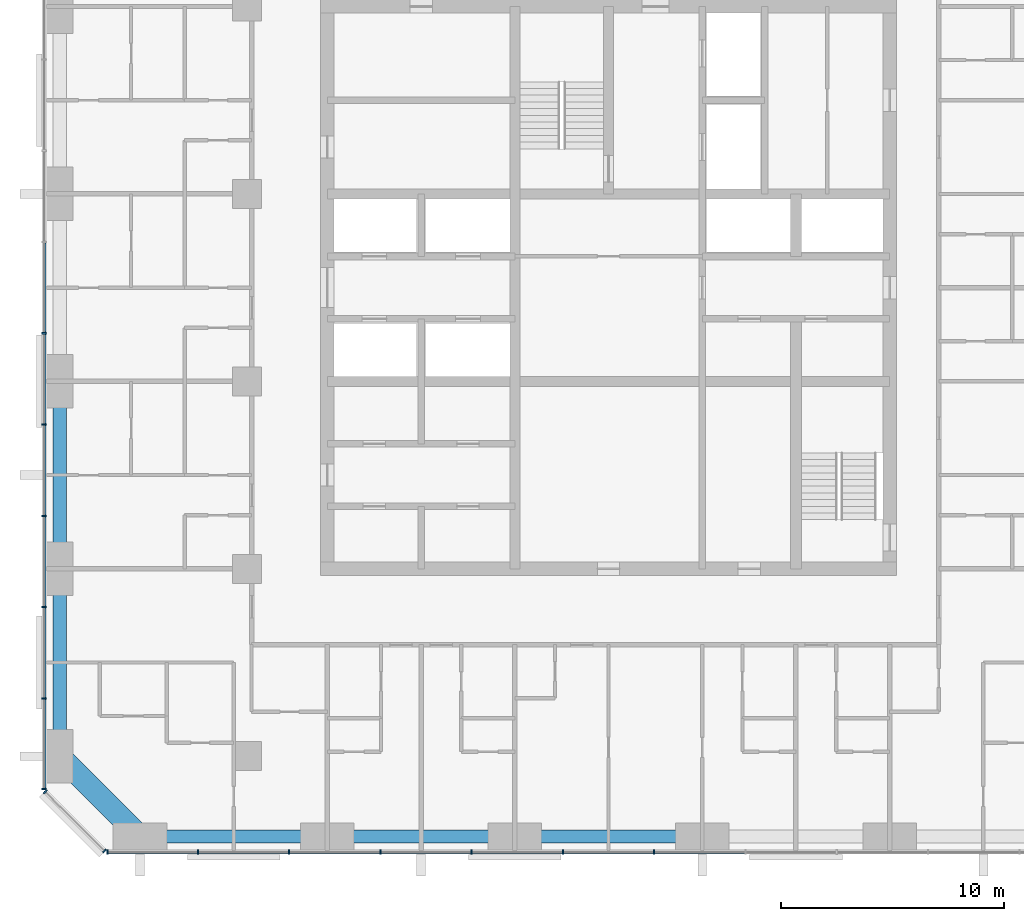
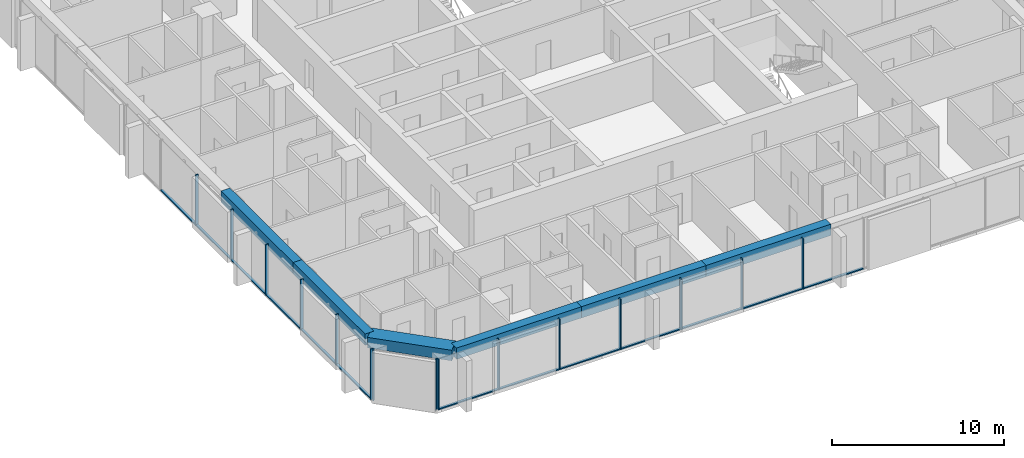
# One storey, part 2 of 14: 28 members, 6 beams, 3 elements without a shape of their own.
"""IFC4 building model written with IfcOpenShell, lengths in metres."""

from ifc_helpers import new_model, si_unit, direction, frame, origin, origin_2d, place, context, subcontext, project, spatial, rectangle, extrude, material, material_profile, profile_set, type_object, element, aggregate, save


model = new_model("IFC4")

# Units and contexts
model_context = context("Model", 3, precision=1e-05, world=origin(), true_north=direction((0.0, 1.0)))
body_context = subcontext(model_context, "Body", "Model", "MODEL_VIEW")
ifc_project = project(units=[si_unit("LENGTHUNIT", "METRE"), si_unit("AREAUNIT", "SQUARE_METRE"), si_unit("VOLUMEUNIT", "CUBIC_METRE"), si_unit("PLANEANGLEUNIT", "RADIAN"), si_unit("MASSUNIT", "GRAM", prefix="KILO")], contexts=[model_context])

# Site, building, storey
site_placement = place(None, origin())
site = spatial("IfcSite", under=ifc_project, at=site_placement, CompositionType="ELEMENT")
building_placement = place(site_placement, origin())
building = spatial("IfcBuilding", under=site, at=building_placement, Name="Dunama Terrace Hotel", CompositionType="ELEMENT")
storey_placement = place(building_placement, frame((0.0, 0.0, 198.60009765625)))
storey = spatial("IfcBuildingStorey", under=building, at=storey_placement, Name="L51", CompositionType="ELEMENT", Elevation=198.60009765625)

# Curtain wall, members
ifc_material_1 = material(Name="Aluminium curtain wall system", Category="aluminium")
curtain_wall_type = type_object("IfcCurtainWallType", Name="Unitised fritted glass wall CW-C", PredefinedType="NOTDEFINED", material=ifc_material_1)
curtain_wall_1_placement = place(storey_placement, origin())
curtain_wall_1 = element("IfcCurtainWall", 1, at=curtain_wall_1_placement, inside=storey, type_object=curtain_wall_type, Name="Unitised fritted glass wall CW-C L51", PredefinedType="NOTDEFINED")
ifc_material_2 = material(Name="Aluminium mullion", Category="aluminium")
ifc_material_profile_1 = material_profile(ifc_material_2, rectangle(XDim=0.070068359375, YDim=0.199951171875, at=origin_2d()), Name="CWC MULLION 70X200")
ifc_profile_set_1 = profile_set([ifc_material_profile_1], Name="Aluminium mullion")
member_type_1 = type_object("IfcMemberType", Name="CWC mullion 70x200", PredefinedType="MULLION", material=ifc_profile_set_1)
member_1_placement = place(storey_placement, frame((6.93505859375, 4.10009765625, 0.0), z_axis=(0.0, 0.0, 1.0), x_axis=(1.0, 0.0, 0.0)))
member_1 = element("IfcMember", 2, at=member_1_placement, type_object=member_type_1, Name="CWC mullion", PredefinedType="MULLION", context=body_context, shape_type="SweptSolid", body=[
    extrude(rectangle(XDim=0.070068359375, YDim=0.199951171875, at=origin_2d()), origin(), (0.0, 0.0, 1.0), 3.599853515625),
])
member_2_placement = place(storey_placement, frame((10.990966796875, 4.10009765625, 0.0), z_axis=(0.0, 0.0, 1.0), x_axis=(1.0, 0.0, 0.0)))
member_2 = element("IfcMember", 3, at=member_2_placement, type_object=member_type_1, Name="CWC mullion", PredefinedType="MULLION", context=body_context, shape_type="SweptSolid", body=[
    extrude(rectangle(XDim=0.070068359375, YDim=0.199951171875, at=origin_2d()), origin(), (0.0, 0.0, 1.0), 3.599853515625),
])
member_3_placement = place(storey_placement, frame((15.08203125, 4.10009765625, 0.0), z_axis=(0.0, 0.0, 1.0), x_axis=(1.0, 0.0, 0.0)))
member_3 = element("IfcMember", 4, at=member_3_placement, type_object=member_type_1, Name="CWC mullion", PredefinedType="MULLION", context=body_context, shape_type="SweptSolid", body=[
    extrude(rectangle(XDim=0.070068359375, YDim=0.199951171875, at=origin_2d()), origin(), (0.0, 0.0, 1.0), 3.599853515625),
])
member_4_placement = place(storey_placement, frame((19.173095703125, 4.10009765625, 0.0), z_axis=(0.0, 0.0, 1.0), x_axis=(1.0, 0.0, 0.0)))
member_4 = element("IfcMember", 5, at=member_4_placement, type_object=member_type_1, Name="CWC mullion", PredefinedType="MULLION", context=body_context, shape_type="SweptSolid", body=[
    extrude(rectangle(XDim=0.070068359375, YDim=0.199951171875, at=origin_2d()), origin(), (0.0, 0.0, 1.0), 3.599853515625),
])
member_5_placement = place(storey_placement, frame((23.263916015625, 4.10009765625, 0.0), z_axis=(0.0, 0.0, 1.0), x_axis=(1.0, 0.0, 0.0)))
member_5 = element("IfcMember", 6, at=member_5_placement, type_object=member_type_1, Name="CWC mullion", PredefinedType="MULLION", context=body_context, shape_type="SweptSolid", body=[
    extrude(rectangle(XDim=0.070068359375, YDim=0.199951171875, at=origin_2d()), origin(), (0.0, 0.0, 1.0), 3.599853515625),
])
member_6_placement = place(storey_placement, frame((27.35498046875, 4.10009765625, 0.0), z_axis=(0.0, 0.0, 1.0), x_axis=(1.0, 0.0, 0.0)))
member_6 = element("IfcMember", 7, at=member_6_placement, type_object=member_type_1, Name="CWC mullion", PredefinedType="MULLION", context=body_context, shape_type="SweptSolid", body=[
    extrude(rectangle(XDim=0.070068359375, YDim=0.199951171875, at=origin_2d()), origin(), (0.0, 0.0, 1.0), 3.599853515625),
])
member_7_placement = place(storey_placement, frame((31.445068359375, 4.10009765625, 0.0), z_axis=(0.0, 0.0, 1.0), x_axis=(1.0, 0.0, 0.0)))
member_7 = element("IfcMember", 8, at=member_7_placement, type_object=member_type_1, Name="CWC mullion", PredefinedType="MULLION", context=body_context, shape_type="SweptSolid", body=[
    extrude(rectangle(XDim=0.070068359375, YDim=0.199951171875, at=origin_2d()), origin(), (0.0, 0.0, 1.0), 3.599853515625),
])

curtain_wall_2_placement = place(storey_placement, origin())
curtain_wall_2 = element("IfcCurtainWall", 9, at=curtain_wall_2_placement, inside=storey, type_object=curtain_wall_type, Name="Unitised fritted glass wall CW-C L51", PredefinedType="NOTDEFINED")
member_8_placement = place(storey_placement, frame((4.10009765625, 27.35498046875, 0.0), z_axis=(0.0, 0.0, 1.0), x_axis=(0.0, -1.0, 0.0)))
member_8 = element("IfcMember", 10, at=member_8_placement, type_object=member_type_1, Name="CWC mullion", PredefinedType="MULLION", context=body_context, shape_type="SweptSolid", body=[
    extrude(rectangle(XDim=0.070068359375, YDim=0.199951171875, at=origin_2d()), origin(), (0.0, 0.0, 1.0), 3.599853515625),
])
member_9_placement = place(storey_placement, frame((4.10009765625, 23.263916015625, 0.0), z_axis=(0.0, 0.0, 1.0), x_axis=(0.0, -1.0, 0.0)))
member_9 = element("IfcMember", 11, at=member_9_placement, type_object=member_type_1, Name="CWC mullion", PredefinedType="MULLION", context=body_context, shape_type="SweptSolid", body=[
    extrude(rectangle(XDim=0.070068359375, YDim=0.199951171875, at=origin_2d()), origin(), (0.0, 0.0, 1.0), 3.599853515625),
])
member_10_placement = place(storey_placement, frame((4.10009765625, 19.173095703125, 0.0), z_axis=(0.0, 0.0, 1.0), x_axis=(0.0, -1.0, 0.0)))
member_10 = element("IfcMember", 12, at=member_10_placement, type_object=member_type_1, Name="CWC mullion", PredefinedType="MULLION", context=body_context, shape_type="SweptSolid", body=[
    extrude(rectangle(XDim=0.070068359375, YDim=0.199951171875, at=origin_2d()), origin(), (0.0, 0.0, 1.0), 3.599853515625),
])
member_11_placement = place(storey_placement, frame((4.10009765625, 15.08203125, 0.0), z_axis=(0.0, 0.0, 1.0), x_axis=(0.0, -1.0, 0.0)))
member_11 = element("IfcMember", 13, at=member_11_placement, type_object=member_type_1, Name="CWC mullion", PredefinedType="MULLION", context=body_context, shape_type="SweptSolid", body=[
    extrude(rectangle(XDim=0.070068359375, YDim=0.199951171875, at=origin_2d()), origin(), (0.0, 0.0, 1.0), 3.599853515625),
])
member_12_placement = place(storey_placement, frame((4.10009765625, 10.990966796875, 0.0), z_axis=(0.0, 0.0, 1.0), x_axis=(0.0, -1.0, 0.0)))
member_12 = element("IfcMember", 14, at=member_12_placement, type_object=member_type_1, Name="CWC mullion", PredefinedType="MULLION", context=body_context, shape_type="SweptSolid", body=[
    extrude(rectangle(XDim=0.070068359375, YDim=0.199951171875, at=origin_2d()), origin(), (0.0, 0.0, 1.0), 3.599853515625),
])
member_13_placement = place(storey_placement, frame((4.10009765625, 6.93505859375, 0.0), z_axis=(0.0, 0.0, 1.0), x_axis=(0.0, -1.0, 0.0)))
member_13 = element("IfcMember", 15, at=member_13_placement, type_object=member_type_1, Name="CWC mullion", PredefinedType="MULLION", context=body_context, shape_type="SweptSolid", body=[
    extrude(rectangle(XDim=0.070068359375, YDim=0.199951171875, at=origin_2d()), origin(), (0.0, 0.0, 1.0), 3.599853515625),
])

curtain_wall_3_placement = place(storey_placement, origin())
curtain_wall_3 = element("IfcCurtainWall", 16, at=curtain_wall_3_placement, inside=storey, type_object=curtain_wall_type, Name="Unitised fritted glass wall CW-C L51", PredefinedType="NOTDEFINED")
member_14_placement = place(storey_placement, frame((4.154052734375, 6.804931640625, 0.0), z_axis=(0.0, 0.0, 1.0), x_axis=(0.707106781187, -0.707106781187, 0.0)))
member_14 = element("IfcMember", 17, at=member_14_placement, type_object=member_type_1, Name="CWC mullion", PredefinedType="MULLION", context=body_context, shape_type="SweptSolid", body=[
    extrude(rectangle(XDim=0.070068359375, YDim=0.199951171875, at=origin_2d()), origin(), (0.0, 0.0, 1.0), 3.599853515625),
])
member_15_placement = place(storey_placement, frame((6.804931640625, 4.154052734375, 0.0), z_axis=(0.0, 0.0, 1.0), x_axis=(0.707106781187, -0.707106781187, 0.0)))
member_15 = element("IfcMember", 18, at=member_15_placement, type_object=member_type_1, Name="CWC mullion", PredefinedType="MULLION", context=body_context, shape_type="SweptSolid", body=[
    extrude(rectangle(XDim=0.070068359375, YDim=0.199951171875, at=origin_2d()), origin(), (0.0, 0.0, 1.0), 3.599853515625),
])
aggregate(curtain_wall_3, [member_14, member_15])

# Member
ifc_material_3 = material(Name="Aluminium transom", Category="aluminium")
ifc_material_profile_2 = material_profile(ifc_material_3, rectangle(XDim=0.159912109375, YDim=0.080078125, at=origin_2d()), Name="CWC TRANSOM 160X80")
ifc_profile_set_2 = profile_set([ifc_material_profile_2], Name="Aluminium transom")
member_type_2 = type_object("IfcMemberType", Name="CWC transom 160x80", PredefinedType="USERDEFINED", material=ifc_profile_set_2)
member_16_placement = place(storey_placement, frame((6.969970703125, 4.10009765625, 0.039794921875), z_axis=(1.0, 0.0, 0.0), x_axis=(0.0, 1.0, 0.0)))
member_16 = element("IfcMember", 19, at=member_16_placement, type_object=member_type_2, Name="CWC transom", ObjectType="TRANSOM", PredefinedType="USERDEFINED", context=body_context, shape_type="SweptSolid", body=[
    extrude(rectangle(XDim=0.159912109375, YDim=0.080078125, at=origin_2d()), origin(), (0.0, 0.0, 1.0), 3.986083984375),
])

member_17_placement = place(storey_placement, frame((11.02587890625, 4.10009765625, 0.039794921875), z_axis=(1.0, 0.0, 0.0), x_axis=(0.0, 1.0, 0.0)))
member_17 = element("IfcMember", 20, at=member_17_placement, type_object=member_type_2, Name="CWC transom", ObjectType="TRANSOM", PredefinedType="USERDEFINED", context=body_context, shape_type="SweptSolid", body=[
    extrude(rectangle(XDim=0.159912109375, YDim=0.080078125, at=origin_2d()), origin(), (0.0, 0.0, 1.0), 4.021240234375),
])

member_18_placement = place(storey_placement, frame((15.116943359375, 4.10009765625, 0.039794921875), z_axis=(1.0, 0.0, 0.0), x_axis=(0.0, 1.0, 0.0)))
member_18 = element("IfcMember", 21, at=member_18_placement, type_object=member_type_2, Name="CWC transom", ObjectType="TRANSOM", PredefinedType="USERDEFINED", context=body_context, shape_type="SweptSolid", body=[
    extrude(rectangle(XDim=0.159912109375, YDim=0.080078125, at=origin_2d()), origin(), (0.0, 0.0, 1.0), 4.02099609375),
])

member_19_placement = place(storey_placement, frame((19.2080078125, 4.10009765625, 0.039794921875), z_axis=(1.0, 0.0, 0.0), x_axis=(0.0, 1.0, 0.0)))
member_19 = element("IfcMember", 22, at=member_19_placement, type_object=member_type_2, Name="CWC transom", ObjectType="TRANSOM", PredefinedType="USERDEFINED", context=body_context, shape_type="SweptSolid", body=[
    extrude(rectangle(XDim=0.159912109375, YDim=0.080078125, at=origin_2d()), origin(), (0.0, 0.0, 1.0), 4.02099609375),
])

member_20_placement = place(storey_placement, frame((23.299072265625, 4.10009765625, 0.039794921875), z_axis=(1.0, 0.0, 0.0), x_axis=(0.0, 1.0, 0.0)))
member_20 = element("IfcMember", 23, at=member_20_placement, type_object=member_type_2, Name="CWC transom", ObjectType="TRANSOM", PredefinedType="USERDEFINED", context=body_context, shape_type="SweptSolid", body=[
    extrude(rectangle(XDim=0.159912109375, YDim=0.080078125, at=origin_2d()), origin(), (0.0, 0.0, 1.0), 4.02099609375),
])

member_21_placement = place(storey_placement, frame((27.389892578125, 4.10009765625, 0.039794921875), z_axis=(1.0, 0.0, 0.0), x_axis=(0.0, 1.0, 0.0)))
member_21 = element("IfcMember", 24, at=member_21_placement, type_object=member_type_2, Name="CWC transom", ObjectType="TRANSOM", PredefinedType="USERDEFINED", context=body_context, shape_type="SweptSolid", body=[
    extrude(rectangle(XDim=0.159912109375, YDim=0.080078125, at=origin_2d()), origin(), (0.0, 0.0, 1.0), 4.02001953125),
])

member_22_placement = place(storey_placement, frame((31.47998046875, 4.10009765625, 0.039794921875), z_axis=(1.0, 0.0, 0.0), x_axis=(0.0, 1.0, 0.0)))
member_22 = element("IfcMember", 25, at=member_22_placement, type_object=member_type_2, Name="CWC transom", ObjectType="TRANSOM", PredefinedType="USERDEFINED", context=body_context, shape_type="SweptSolid", body=[
    extrude(rectangle(XDim=0.159912109375, YDim=0.080078125, at=origin_2d()), origin(), (0.0, 0.0, 1.0), 4.02099609375),
])

aggregate(curtain_wall_1, [member_1, member_2, member_3, member_4, member_5, member_6, member_7, member_16, member_17, member_18, member_19, member_20, member_21, member_22])

member_23_placement = place(storey_placement, frame((4.10009765625, 31.409912109375, 0.039794921875), z_axis=(0.0, -1.0, 0.0), x_axis=(1.0, 0.0, 0.0)))
member_23 = element("IfcMember", 26, at=member_23_placement, type_object=member_type_2, Name="CWC transom", ObjectType="TRANSOM", PredefinedType="USERDEFINED", context=body_context, shape_type="SweptSolid", body=[
    extrude(rectangle(XDim=0.159912109375, YDim=0.080078125, at=origin_2d()), origin(), (0.0, 0.0, 1.0), 4.02001953125),
])

member_24_placement = place(storey_placement, frame((4.10009765625, 27.320068359375, 0.039794921875), z_axis=(0.0, -1.0, 0.0), x_axis=(1.0, 0.0, 0.0)))
member_24 = element("IfcMember", 27, at=member_24_placement, type_object=member_type_2, Name="CWC transom", ObjectType="TRANSOM", PredefinedType="USERDEFINED", context=body_context, shape_type="SweptSolid", body=[
    extrude(rectangle(XDim=0.159912109375, YDim=0.080078125, at=origin_2d()), origin(), (0.0, 0.0, 1.0), 4.02099609375),
])

member_25_placement = place(storey_placement, frame((4.10009765625, 23.22900390625, 0.039794921875), z_axis=(0.0, -1.0, 0.0), x_axis=(1.0, 0.0, 0.0)))
member_25 = element("IfcMember", 28, at=member_25_placement, type_object=member_type_2, Name="CWC transom", ObjectType="TRANSOM", PredefinedType="USERDEFINED", context=body_context, shape_type="SweptSolid", body=[
    extrude(rectangle(XDim=0.159912109375, YDim=0.080078125, at=origin_2d()), origin(), (0.0, 0.0, 1.0), 4.02099609375),
])

member_26_placement = place(storey_placement, frame((4.10009765625, 19.137939453125, 0.039794921875), z_axis=(0.0, -1.0, 0.0), x_axis=(1.0, 0.0, 0.0)))
member_26 = element("IfcMember", 29, at=member_26_placement, type_object=member_type_2, Name="CWC transom", ObjectType="TRANSOM", PredefinedType="USERDEFINED", context=body_context, shape_type="SweptSolid", body=[
    extrude(rectangle(XDim=0.159912109375, YDim=0.080078125, at=origin_2d()), origin(), (0.0, 0.0, 1.0), 4.02099609375),
])

member_27_placement = place(storey_placement, frame((4.10009765625, 15.047119140625, 0.039794921875), z_axis=(0.0, -1.0, 0.0), x_axis=(1.0, 0.0, 0.0)))
member_27 = element("IfcMember", 30, at=member_27_placement, type_object=member_type_2, Name="CWC transom", ObjectType="TRANSOM", PredefinedType="USERDEFINED", context=body_context, shape_type="SweptSolid", body=[
    extrude(rectangle(XDim=0.159912109375, YDim=0.080078125, at=origin_2d()), origin(), (0.0, 0.0, 1.0), 4.021240234375),
])

member_28_placement = place(storey_placement, frame((4.10009765625, 10.9560546875, 0.039794921875), z_axis=(0.0, -1.0, 0.0), x_axis=(1.0, 0.0, 0.0)))
member_28 = element("IfcMember", 31, at=member_28_placement, type_object=member_type_2, Name="CWC transom", ObjectType="TRANSOM", PredefinedType="USERDEFINED", context=body_context, shape_type="SweptSolid", body=[
    extrude(rectangle(XDim=0.159912109375, YDim=0.080078125, at=origin_2d()), origin(), (0.0, 0.0, 1.0), 3.986083984375),
])

aggregate(curtain_wall_2, [member_8, member_9, member_10, member_11, member_12, member_13, member_23, member_24, member_25, member_26, member_27, member_28])

# Beams
ifc_material_4 = material(Name="Concrete C50/60", Category="concrete")
ifc_material_profile_3 = material_profile(ifc_material_4, rectangle(XDim=1.0, YDim=0.75, at=origin_2d()), Name="RC 1000x750")
ifc_profile_set_3 = profile_set([ifc_material_profile_3], Name="Concrete C50/60")
beam_type_1 = type_object("IfcBeamType", Name="Edge beam RC 1000x750", PredefinedType="SPANDREL", material=ifc_profile_set_3)
beam_1_placement = place(storey_placement, frame((8.39990234375, 4.800048828125, 3.224853515625), z_axis=(-0.707106781187, 0.707106781187, 0.0), x_axis=(-0.707106781187, -0.707106781187, 0.0)))
element("IfcBeam", 32, at=beam_1_placement, inside=storey, type_object=beam_type_1, Name="Corner edge beam under L52", PredefinedType="SPANDREL", context=body_context, shape_type="SweptSolid", body=[
    extrude(rectangle(XDim=1.0, YDim=0.75, at=origin_2d()), origin(), (0.0, 0.0, 1.0), 5.091064453125),
])
ifc_material_5 = material(Name="Concrete C40/50", Category="concrete")
ifc_material_profile_4 = material_profile(ifc_material_5, rectangle(XDim=0.60009765625, YDim=0.800048828125, at=origin_2d()), Name="RC 600x800")
ifc_profile_set_4 = profile_set([ifc_material_profile_4], Name="Concrete C40/50")
beam_type_2 = type_object("IfcBeamType", Name="Edge beam RC 600x800", PredefinedType="SPANDREL", material=ifc_profile_set_4)
beam_2_placement = place(storey_placement, frame((4.800048828125, 8.39990234375, 3.199951171875), z_axis=(0.0, 1.0, 0.0), x_axis=(-1.0, 0.0, 0.0)))
element("IfcBeam", 33, at=beam_2_placement, inside=storey, type_object=beam_type_2, Name="Edge beam under L52", PredefinedType="SPANDREL", context=body_context, shape_type="SweptSolid", body=[
    extrude(rectangle(XDim=0.60009765625, YDim=0.800048828125, at=origin_2d()), origin(), (0.0, 0.0, 1.0), 8.400146484375),
])
beam_3_placement = place(storey_placement, frame((4.800048828125, 16.800048828125, 3.199951171875), z_axis=(0.0, 1.0, 0.0), x_axis=(-1.0, 0.0, 0.0)))
element("IfcBeam", 34, at=beam_3_placement, inside=storey, type_object=beam_type_2, Name="Edge beam under L52", PredefinedType="SPANDREL", context=body_context, shape_type="SweptSolid", body=[
    extrude(rectangle(XDim=0.60009765625, YDim=0.800048828125, at=origin_2d()), origin(), (0.0, 0.0, 1.0), 8.39990234375),
])
beam_4_placement = place(storey_placement, frame((8.39990234375, 4.800048828125, 3.199951171875), z_axis=(1.0, 0.0, 0.0), x_axis=(0.0, 1.0, 0.0)))
element("IfcBeam", 35, at=beam_4_placement, inside=storey, type_object=beam_type_2, Name="Edge beam under L52", PredefinedType="SPANDREL", context=body_context, shape_type="SweptSolid", body=[
    extrude(rectangle(XDim=0.60009765625, YDim=0.800048828125, at=origin_2d()), origin(), (0.0, 0.0, 1.0), 8.400146484375),
])
beam_5_placement = place(storey_placement, frame((16.800048828125, 4.800048828125, 3.199951171875), z_axis=(1.0, 0.0, 0.0), x_axis=(0.0, 1.0, 0.0)))
element("IfcBeam", 36, at=beam_5_placement, inside=storey, type_object=beam_type_2, Name="Edge beam under L52", PredefinedType="SPANDREL", context=body_context, shape_type="SweptSolid", body=[
    extrude(rectangle(XDim=0.60009765625, YDim=0.800048828125, at=origin_2d()), origin(), (0.0, 0.0, 1.0), 8.39990234375),
])
beam_6_placement = place(storey_placement, frame((25.199951171875, 4.800048828125, 3.199951171875), z_axis=(1.0, 0.0, 0.0), x_axis=(0.0, 1.0, 0.0)))
element("IfcBeam", 37, at=beam_6_placement, inside=storey, type_object=beam_type_2, Name="Edge beam under L52", PredefinedType="SPANDREL", context=body_context, shape_type="SweptSolid", body=[
    extrude(rectangle(XDim=0.60009765625, YDim=0.800048828125, at=origin_2d()), origin(), (0.0, 0.0, 1.0), 8.400146484375),
])

save(model, "model.ifc")
